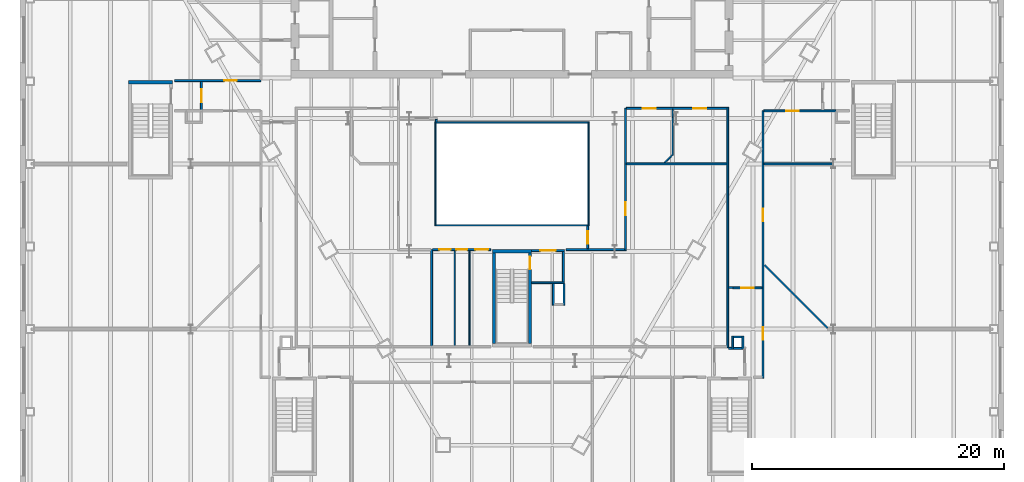
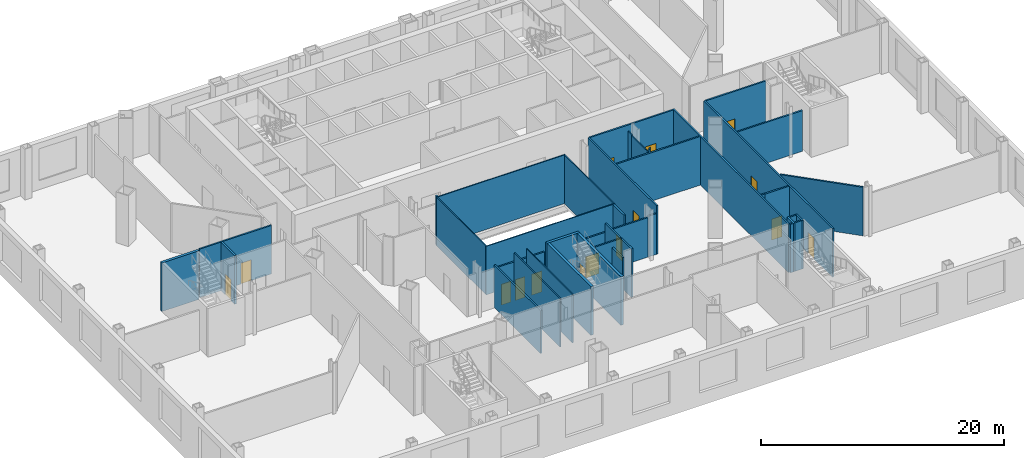
# One storey, part 10 of 20: 41 walls, 15 doors, 15 openings.
"""IFC4 building model written with IfcOpenShell, lengths in metres."""

from ifc_helpers import new_model, si_unit, direction, frame, frame_2d, origin, place, context, subcontext, project, spatial, rectangle, extrude, material, layer, layer_set, type_object, element, fill, save


model = new_model("IFC4")

# Units and contexts
model_context = context("Model", 3, precision=1e-05, world=origin(), true_north=direction((0.0, 1.0)))
body_context = subcontext(model_context, "Body", "Model", "MODEL_VIEW")
ifc_project = project(units=[si_unit("LENGTHUNIT", "METRE"), si_unit("AREAUNIT", "SQUARE_METRE"), si_unit("VOLUMEUNIT", "CUBIC_METRE"), si_unit("PLANEANGLEUNIT", "RADIAN"), si_unit("MASSUNIT", "GRAM", prefix="KILO")], contexts=[model_context])

# Site, building, storey
site_placement = place(None, origin())
site = spatial("IfcSite", under=ifc_project, at=site_placement, CompositionType="ELEMENT")
building_placement = place(site_placement, origin())
building = spatial("IfcBuilding", under=site, at=building_placement, Name="Njiva Tower", CompositionType="ELEMENT")
storey_placement = place(building_placement, frame((0.0, 0.0, 18.6)))
storey = spatial("IfcBuildingStorey", under=building, at=storey_placement, Name="L03", CompositionType="ELEMENT", Elevation=18.6)

# Walls
ifc_material_1 = material(Name="Gypsum board on steel studs", Category="gypsum")
ifc_layer_1 = layer(ifc_material_1, 0.1)
ifc_layer_set_1 = layer_set([ifc_layer_1], Name="Gypsum board on steel studs")
wall_type_1 = type_object("IfcWallType", Name="WT20 Gypsum partition 100", PredefinedType="PARTITIONING", material=ifc_layer_set_1)
for number, where, z_axis, x_axis, name in (
    (1, (-4.544, -21.225, 0.0), (0.0, 0.0, 1.0), (0.0, 1.0, 0.0), "Partition L03-P050"),
    (2, (-3.375, -21.225, 0.0), (0.0, 0.0, 1.0), (0.0, 1.0, 0.0), "Partition L03-P051"),
):
    element("IfcWall", number, at=place(storey_placement, frame(where, z_axis=z_axis, x_axis=x_axis)), inside=storey, type_object=wall_type_1, Name=name, PredefinedType="PARTITIONING", context=body_context, shape_type="SweptSolid", body=[
        extrude(rectangle(XDim=7.55, YDim=0.1, at=frame_2d((3.775, 0.0))), origin(), (0.0, 0.0, 1.0), 4.88),
    ])
wall_1_placement = place(storey_placement, frame((12.11, -6.69, 0.0), z_axis=(0.0, 0.0, 1.0), x_axis=(0.707106781187, 0.707106781187, 0.0)))
element("IfcWall", 3, at=wall_1_placement, inside=storey, type_object=wall_type_1, Name="Partition L03-P063", PredefinedType="PARTITIONING", context=body_context, shape_type="SweptSolid", body=[
    extrude(rectangle(XDim=0.8103, YDim=0.1, at=frame_2d((0.4052, 0.0))), origin(), (0.0, 0.0, 1.0), 4.88),
])
wall_2_placement = place(storey_placement, frame((12.733, -6.117, 0.0), z_axis=(0.0, 0.0, 1.0), x_axis=(0.0, 1.0, 0.0)))
element("IfcWall", 4, at=wall_2_placement, inside=storey, type_object=wall_type_1, Name="Partition L03-P065", PredefinedType="PARTITIONING", context=body_context, shape_type="SweptSolid", body=[
    extrude(rectangle(XDim=3.017, YDim=0.1, at=frame_2d((1.5085, 0.0))), origin(), (0.0, 0.0, 1.0), 4.19),
])
wall_3_placement = place(storey_placement, frame((12.733, -3.1, 0.0), z_axis=(0.0, 0.0, 1.0), x_axis=(0.0, 1.0, 0.0)))
element("IfcWall", 5, at=wall_3_placement, inside=storey, type_object=wall_type_1, Name="Partition L03-P065A", PredefinedType="PARTITIONING", context=body_context, shape_type="SweptSolid", body=[
    extrude(rectangle(XDim=0.625, YDim=0.1, at=frame_2d((0.3125, 0.0))), origin(), (0.0, 0.0, 1.0), 4.28),
])

# Wall, opening, door
ifc_layer_2 = layer(ifc_material_1, 0.15)
ifc_layer_set_2 = layer_set([ifc_layer_2], Name="Gypsum board on steel studs")
wall_type_2 = type_object("IfcWallType", Name="WT21 Compartment wall 150", PredefinedType="PARTITIONING", material=ifc_layer_set_2)
wall_4_placement = place(storey_placement, frame((-26.75, -0.2, 0.0), z_axis=(0.0, 0.0, 1.0), x_axis=(1.0, 0.0, 0.0)))
wall_4 = element("IfcWall", 6, at=wall_4_placement, inside=storey, type_object=wall_type_2, Name="Partition L03-P005", PredefinedType="PARTITIONING", context=body_context, shape_type="SweptSolid", body=[
    extrude(rectangle(XDim=6.847, YDim=0.15, at=frame_2d((3.4235, 0.0))), origin(), (0.0, 0.0, 1.0), 4.88),
])
opening_1_placement = place(wall_4_placement, frame((3.932, 0.0, 0.0)))
opening_1 = element("IfcOpeningElement", 7, at=opening_1_placement, cuts=wall_4, Name="Opening L03-D001", PredefinedType="OPENING", context=body_context, shape_type="SweptSolid", body=[
    extrude(rectangle(XDim=1.0, YDim=2.1, at=frame_2d((0.5, 1.05))), frame((0.0, 0.085, 0.0), z_axis=(0.0, -1.0, 0.0), x_axis=(1.0, 0.0, 0.0)), (0.0, 0.0, 1.0), 0.17),
])
ifc_material_2 = material(Name="Steel fire door set", Category="steel")
door_type_1 = type_object("IfcDoorType", Name="D37 Fire door 1000x2100", OperationType="SINGLE_SWING_LEFT", PredefinedType="DOOR", material=ifc_material_2)
door_1_placement = place(opening_1_placement, origin())
door_1 = element("IfcDoor", 8, at=door_1_placement, inside=storey, type_object=door_type_1, Name="Door L03-D001", OperationType="SINGLE_SWING_LEFT", OverallHeight=2.1, OverallWidth=1.0, PredefinedType="DOOR", context=body_context, shape_type="SweptSolid", body=[
    extrude(rectangle(XDim=1.0, YDim=2.1, at=frame_2d((0.5, 1.05))), frame((0.0, 0.025, 0.0), z_axis=(0.0, -1.0, 0.0), x_axis=(1.0, 0.0, 0.0)), (0.0, 0.0, 1.0), 0.05),
])
fill(opening_1, door_1)

wall_5_placement = place(storey_placement, frame((-24.625, -2.525, 0.0), z_axis=(0.0, 0.0, 1.0), x_axis=(0.0, 1.0, 0.0)))
wall_5 = element("IfcWall", 9, at=wall_5_placement, inside=storey, type_object=wall_type_2, Name="Partition L03-P013", PredefinedType="PARTITIONING", context=body_context, shape_type="SweptSolid", body=[
    extrude(rectangle(XDim=2.25, YDim=0.15, at=frame_2d((1.125, 0.0))), origin(), (0.0, 0.0, 1.0), 4.88),
])
opening_2_placement = place(wall_5_placement, frame((0.625, 0.0, 0.0)))
opening_2 = element("IfcOpeningElement", 10, at=opening_2_placement, cuts=wall_5, Name="Opening L03-D002", PredefinedType="OPENING", context=body_context, shape_type="SweptSolid", body=[
    extrude(rectangle(XDim=1.0, YDim=2.1, at=frame_2d((0.5, 1.05))), frame((0.0, 0.085, 0.0), z_axis=(0.0, -1.0, 0.0), x_axis=(1.0, 0.0, 0.0)), (0.0, 0.0, 1.0), 0.17),
])
ifc_material_3 = material(Name="Glazed steel fire door", Category="steel")
door_type_2 = type_object("IfcDoorType", Name="D41 Glazed fire door 1000x2100", OperationType="SINGLE_SWING_LEFT", PredefinedType="DOOR", material=ifc_material_3)
door_2_placement = place(opening_2_placement, origin())
door_2 = element("IfcDoor", 11, at=door_2_placement, inside=storey, type_object=door_type_2, Name="Door L03-D002", OperationType="SINGLE_SWING_RIGHT", OverallHeight=2.1, OverallWidth=1.0, PredefinedType="DOOR", context=body_context, shape_type="SweptSolid", body=[
    extrude(rectangle(XDim=1.0, YDim=2.1, at=frame_2d((0.5, 1.05))), frame((0.0, 0.025, 0.0), z_axis=(0.0, -1.0, 0.0), x_axis=(1.0, 0.0, 0.0)), (0.0, 0.0, 1.0), 0.05),
])
fill(opening_2, door_2)

# Wall
wall_6_placement = place(storey_placement, frame((-6.367, -21.225, 0.0), z_axis=(0.0, 0.0, 1.0), x_axis=(0.0, 1.0, 0.0)))
element("IfcWall", 12, at=wall_6_placement, inside=storey, type_object=wall_type_2, Name="Partition L03-P047", PredefinedType="PARTITIONING", context=body_context, shape_type="SweptSolid", body=[
    extrude(rectangle(XDim=7.622, YDim=0.15, at=frame_2d((3.811, 0.0))), origin(), (0.0, 0.0, 1.0), 4.28),
])

# Wall, openings, doors
wall_7_placement = place(storey_placement, frame((-6.292, -13.6, 0.0), z_axis=(0.0, 0.0, 1.0), x_axis=(1.0, 0.0, 0.0)))
wall_7 = element("IfcWall", 13, at=wall_7_placement, inside=storey, type_object=wall_type_2, Name="Partition L03-P048", PredefinedType="PARTITIONING", context=body_context, shape_type="SweptSolid", body=[
    extrude(rectangle(XDim=4.592, YDim=0.15, at=frame_2d((2.296, 0.0))), origin(), (0.0, 0.0, 1.0), 3.97),
])
opening_3_placement = place(wall_7_placement, frame((0.536, 0.0, 0.0)))
opening_3 = element("IfcOpeningElement", 14, at=opening_3_placement, cuts=wall_7, Name="Opening L03-D017", PredefinedType="OPENING", context=body_context, shape_type="SweptSolid", body=[
    extrude(rectangle(XDim=0.9, YDim=2.1, at=frame_2d((0.45, 1.05))), frame((0.0, 0.085, 0.0), z_axis=(0.0, -1.0, 0.0), x_axis=(1.0, 0.0, 0.0)), (0.0, 0.0, 1.0), 0.17),
])
opening_4_placement = place(wall_7_placement, frame((1.854, 0.0, 0.0)))
opening_4 = element("IfcOpeningElement", 15, at=opening_4_placement, cuts=wall_7, Name="Opening L03-D018", PredefinedType="OPENING", context=body_context, shape_type="SweptSolid", body=[
    extrude(rectangle(XDim=0.9, YDim=2.1, at=frame_2d((0.45, 1.05))), frame((0.0, 0.085, 0.0), z_axis=(0.0, -1.0, 0.0), x_axis=(1.0, 0.0, 0.0)), (0.0, 0.0, 1.0), 0.17),
])
opening_5_placement = place(wall_7_placement, frame((3.392, 0.0, 0.0)))
opening_5 = element("IfcOpeningElement", 16, at=opening_5_placement, cuts=wall_7, Name="Opening L03-D019", PredefinedType="OPENING", context=body_context, shape_type="SweptSolid", body=[
    extrude(rectangle(XDim=1.0, YDim=2.1, at=frame_2d((0.5, 1.05))), frame((0.0, 0.085, 0.0), z_axis=(0.0, -1.0, 0.0), x_axis=(1.0, 0.0, 0.0)), (0.0, 0.0, 1.0), 0.17),
])
door_type_3 = type_object("IfcDoorType", Name="D36 Fire door 900x2100", OperationType="SINGLE_SWING_LEFT", PredefinedType="DOOR", material=ifc_material_2)
door_3_placement = place(opening_3_placement, origin())
door_3 = element("IfcDoor", 17, at=door_3_placement, inside=storey, type_object=door_type_3, Name="Door L03-D017", OperationType="SINGLE_SWING_LEFT", OverallHeight=2.1, OverallWidth=0.9, PredefinedType="DOOR", context=body_context, shape_type="SweptSolid", body=[
    extrude(rectangle(XDim=0.9, YDim=2.1, at=frame_2d((0.45, 1.05))), frame((0.0, 0.025, 0.0), z_axis=(0.0, -1.0, 0.0), x_axis=(1.0, 0.0, 0.0)), (0.0, 0.0, 1.0), 0.05),
])
fill(opening_3, door_3)
door_4_placement = place(opening_4_placement, origin())
door_4 = element("IfcDoor", 18, at=door_4_placement, inside=storey, type_object=door_type_3, Name="Door L03-D018", OperationType="SINGLE_SWING_RIGHT", OverallHeight=2.1, OverallWidth=0.9, PredefinedType="DOOR", context=body_context, shape_type="SweptSolid", body=[
    extrude(rectangle(XDim=0.9, YDim=2.1, at=frame_2d((0.45, 1.05))), frame((0.0, 0.025, 0.0), z_axis=(0.0, -1.0, 0.0), x_axis=(1.0, 0.0, 0.0)), (0.0, 0.0, 1.0), 0.05),
])
fill(opening_4, door_4)
door_5_placement = place(opening_5_placement, origin())
door_5 = element("IfcDoor", 19, at=door_5_placement, inside=storey, type_object=door_type_1, Name="Door L03-D019", OperationType="SINGLE_SWING_RIGHT", OverallHeight=2.1, OverallWidth=1.0, PredefinedType="DOOR", context=body_context, shape_type="SweptSolid", body=[
    extrude(rectangle(XDim=1.0, YDim=2.1, at=frame_2d((0.5, 1.05))), frame((0.0, 0.025, 0.0), z_axis=(0.0, -1.0, 0.0), x_axis=(1.0, 0.0, 0.0)), (0.0, 0.0, 1.0), 0.05),
])
fill(opening_5, door_5)

# Walls
wall_8_placement = place(storey_placement, frame((-6.0, -3.48, 0.0), z_axis=(0.0, 0.0, 1.0), x_axis=(0.0, 1.0, 0.0)))
element("IfcWall", 20, at=wall_8_placement, inside=storey, type_object=wall_type_2, Name="Partition L03-P049", PredefinedType="PARTITIONING", context=body_context, shape_type="SweptSolid", body=[
    extrude(rectangle(XDim=0.205, YDim=0.15, at=frame_2d((0.1025, 0.0))), origin(), (0.0, 0.0, 1.0), 4.88),
])
wall_9_placement = place(storey_placement, frame((4.3, -13.6, 0.0), z_axis=(0.0, 0.0, 1.0), x_axis=(1.0, 0.0, 0.0)))
element("IfcWall", 21, at=wall_9_placement, inside=storey, type_object=wall_type_2, Name="Partition L03-P054", PredefinedType="PARTITIONING", context=body_context, shape_type="SweptSolid", body=[
    extrude(rectangle(XDim=3.85, YDim=0.15, at=frame_2d((1.925, 0.0))), origin(), (0.0, 0.0, 1.0), 3.97),
])
wall_10_placement = place(storey_placement, frame((8.15, -13.6, 0.0), z_axis=(0.0, 0.0, 1.0), x_axis=(1.0, 0.0, 0.0)))
element("IfcWall", 22, at=wall_10_placement, inside=storey, type_object=wall_type_2, Name="Partition L03-P054A", PredefinedType="PARTITIONING", context=body_context, shape_type="SweptSolid", body=[
    extrude(rectangle(XDim=0.775, YDim=0.15, at=frame_2d((0.3875, 0.0))), origin(), (0.0, 0.0, 1.0), 4.09),
])

# Wall, opening, door
wall_11_placement = place(storey_placement, frame((6.0, -13.525, 0.0), z_axis=(0.0, 0.0, 1.0), x_axis=(0.0, 1.0, 0.0)))
wall_11 = element("IfcWall", 23, at=wall_11_placement, inside=storey, type_object=wall_type_2, Name="Partition L03-P055", PredefinedType="PARTITIONING", context=body_context, shape_type="SweptSolid", body=[
    extrude(rectangle(XDim=1.805, YDim=0.15, at=frame_2d((0.9025, 0.0))), origin(), (0.0, 0.0, 1.0), 4.88),
])
opening_6_placement = place(wall_11_placement, frame((0.403, 0.0, 0.0)))
opening_6 = element("IfcOpeningElement", 24, at=opening_6_placement, cuts=wall_11, Name="Opening L03-D020", PredefinedType="OPENING", context=body_context, shape_type="SweptSolid", body=[
    extrude(rectangle(XDim=1.0, YDim=2.1, at=frame_2d((0.5, 1.05))), frame((0.0, 0.085, 0.0), z_axis=(0.0, -1.0, 0.0), x_axis=(1.0, 0.0, 0.0)), (0.0, 0.0, 1.0), 0.17),
])
door_6_placement = place(opening_6_placement, origin())
door_6 = element("IfcDoor", 25, at=door_6_placement, inside=storey, type_object=door_type_1, Name="Door L03-D020", OperationType="SINGLE_SWING_RIGHT", OverallHeight=2.1, OverallWidth=1.0, PredefinedType="DOOR", context=body_context, shape_type="SweptSolid", body=[
    extrude(rectangle(XDim=1.0, YDim=2.1, at=frame_2d((0.5, 1.05))), frame((0.0, 0.025, 0.0), z_axis=(0.0, -1.0, 0.0), x_axis=(1.0, 0.0, 0.0)), (0.0, 0.0, 1.0), 0.05),
])
fill(opening_6, door_6)

wall_12_placement = place(storey_placement, frame((9.0, -13.675, 0.0), z_axis=(0.0, 0.0, 1.0), x_axis=(0.0, 1.0, 0.0)))
wall_12 = element("IfcWall", 26, at=wall_12_placement, inside=storey, type_object=wall_type_2, Name="Partition L03-P059", PredefinedType="PARTITIONING", context=body_context, shape_type="SweptSolid", body=[
    extrude(rectangle(XDim=11.287, YDim=0.15, at=frame_2d((5.6435, 0.0))), origin(), (0.0, 0.0, 1.0), 4.88),
])
opening_7_placement = place(wall_12_placement, frame((2.821, 0.0, 0.0)))
opening_7 = element("IfcOpeningElement", 27, at=opening_7_placement, cuts=wall_12, Name="Opening L03-D022", PredefinedType="OPENING", context=body_context, shape_type="SweptSolid", body=[
    extrude(rectangle(XDim=1.0, YDim=2.1, at=frame_2d((0.5, 1.05))), frame((0.0, 0.085, 0.0), z_axis=(0.0, -1.0, 0.0), x_axis=(1.0, 0.0, 0.0)), (0.0, 0.0, 1.0), 0.17),
])
door_7_placement = place(opening_7_placement, origin())
door_7 = element("IfcDoor", 28, at=door_7_placement, inside=storey, type_object=door_type_1, Name="Door L03-D022", OperationType="SINGLE_SWING_LEFT", OverallHeight=2.1, OverallWidth=1.0, PredefinedType="DOOR", context=body_context, shape_type="SweptSolid", body=[
    extrude(rectangle(XDim=1.0, YDim=2.1, at=frame_2d((0.5, 1.05))), frame((0.0, 0.025, 0.0), z_axis=(0.0, -1.0, 0.0), x_axis=(1.0, 0.0, 0.0)), (0.0, 0.0, 1.0), 0.05),
])
fill(opening_7, door_7)

# Wall
wall_13_placement = place(storey_placement, frame((9.075, -6.8, 0.0), z_axis=(0.0, 0.0, 1.0), x_axis=(1.0, 0.0, 0.0)))
element("IfcWall", 29, at=wall_13_placement, inside=storey, type_object=wall_type_2, Name="Partition L03-P060", PredefinedType="PARTITIONING", context=body_context, shape_type="SweptSolid", body=[
    extrude(rectangle(XDim=7.95, YDim=0.15, at=frame_2d((3.975, 0.0))), origin(), (0.0, 0.0, 1.0), 4.88),
])

# Wall, openings, doors
wall_14_placement = place(storey_placement, frame((9.075, -2.4, 0.0), z_axis=(0.0, 0.0, 1.0), x_axis=(1.0, 0.0, 0.0)))
wall_14 = element("IfcWall", 30, at=wall_14_placement, inside=storey, type_object=wall_type_2, Name="Partition L03-P061", PredefinedType="PARTITIONING", context=body_context, shape_type="SweptSolid", body=[
    extrude(rectangle(XDim=7.95, YDim=0.15, at=frame_2d((3.975, 0.0))), origin(), (0.0, 0.0, 1.0), 4.88),
])
opening_8_placement = place(wall_14_placement, frame((1.304, 0.0, 0.0)))
opening_8 = element("IfcOpeningElement", 31, at=opening_8_placement, cuts=wall_14, Name="Opening L03-D023", PredefinedType="OPENING", context=body_context, shape_type="SweptSolid", body=[
    extrude(rectangle(XDim=1.0, YDim=2.1, at=frame_2d((0.5, 1.05))), frame((0.0, 0.085, 0.0), z_axis=(0.0, -1.0, 0.0), x_axis=(1.0, 0.0, 0.0)), (0.0, 0.0, 1.0), 0.17),
])
opening_9_placement = place(wall_14_placement, frame((5.304, 0.0, 0.0)))
opening_9 = element("IfcOpeningElement", 32, at=opening_9_placement, cuts=wall_14, Name="Opening L03-D024", PredefinedType="OPENING", context=body_context, shape_type="SweptSolid", body=[
    extrude(rectangle(XDim=1.0, YDim=2.1, at=frame_2d((0.5, 1.05))), frame((0.0, 0.085, 0.0), z_axis=(0.0, -1.0, 0.0), x_axis=(1.0, 0.0, 0.0)), (0.0, 0.0, 1.0), 0.17),
])
door_8_placement = place(opening_8_placement, origin())
door_8 = element("IfcDoor", 33, at=door_8_placement, inside=storey, type_object=door_type_1, Name="Door L03-D023", OperationType="SINGLE_SWING_LEFT", OverallHeight=2.1, OverallWidth=1.0, PredefinedType="DOOR", context=body_context, shape_type="SweptSolid", body=[
    extrude(rectangle(XDim=1.0, YDim=2.1, at=frame_2d((0.5, 1.05))), frame((0.0, 0.025, 0.0), z_axis=(0.0, -1.0, 0.0), x_axis=(1.0, 0.0, 0.0)), (0.0, 0.0, 1.0), 0.05),
])
fill(opening_8, door_8)
door_9_placement = place(opening_9_placement, origin())
door_9 = element("IfcDoor", 34, at=door_9_placement, inside=storey, type_object=door_type_1, Name="Door L03-D024", OperationType="SINGLE_SWING_RIGHT", OverallHeight=2.1, OverallWidth=1.0, PredefinedType="DOOR", context=body_context, shape_type="SweptSolid", body=[
    extrude(rectangle(XDim=1.0, YDim=2.1, at=frame_2d((0.5, 1.05))), frame((0.0, 0.025, 0.0), z_axis=(0.0, -1.0, 0.0), x_axis=(1.0, 0.0, 0.0)), (0.0, 0.0, 1.0), 0.05),
])
fill(opening_9, door_9)

# Walls
wall_15_placement = place(storey_placement, frame((17.1, -21.375, 0.0), z_axis=(0.0, 0.0, 1.0), x_axis=(0.0, 1.0, 0.0)))
element("IfcWall", 35, at=wall_15_placement, inside=storey, type_object=wall_type_2, Name="Partition L03-P068", PredefinedType="PARTITIONING", context=body_context, shape_type="SweptSolid", body=[
    extrude(rectangle(XDim=19.05, YDim=0.15, at=frame_2d((9.525, 0.0))), origin(), (0.0, 0.0, 1.0), 4.88),
])
wall_16_placement = place(storey_placement, frame((17.175, -21.425, 0.0), z_axis=(0.0, 0.0, 1.0), x_axis=(1.0, 0.0, 0.0)))
element("IfcWall", 36, at=wall_16_placement, inside=storey, type_object=wall_type_2, Name="Partition L03-P069", PredefinedType="PARTITIONING", context=body_context, shape_type="SweptSolid", body=[
    extrude(rectangle(XDim=0.25, YDim=0.15, at=frame_2d((0.125, 0.0))), origin(), (0.0, 0.0, 1.0), 4.88),
])
wall_17_placement = place(storey_placement, frame((17.175, -16.6, 0.0), z_axis=(0.0, 0.0, 1.0), x_axis=(1.0, 0.0, 0.0)))
element("IfcWall", 37, at=wall_17_placement, inside=storey, type_object=wall_type_2, Name="Partition L03-P070", PredefinedType="PARTITIONING", context=body_context, shape_type="SweptSolid", body=[
    extrude(rectangle(XDim=0.325, YDim=0.15, at=frame_2d((0.1625, 0.0))), origin(), (0.0, 0.0, 1.0), 4.88),
])

# Wall, opening, door
wall_18_placement = place(storey_placement, frame((17.5, -16.625, 0.0), z_axis=(0.0, 0.0, 1.0), x_axis=(1.0, 0.0, 0.0)))
wall_18 = element("IfcWall", 38, at=wall_18_placement, inside=storey, type_object=wall_type_2, Name="Partition L03-P072", PredefinedType="PARTITIONING", context=body_context, shape_type="SweptSolid", body=[
    extrude(rectangle(XDim=2.325, YDim=0.15, at=frame_2d((1.1625, 0.0))), origin(), (0.0, 0.0, 1.0), 4.88),
])
opening_10_placement = place(wall_18_placement, frame((0.662, 0.0, 0.0)))
opening_10 = element("IfcOpeningElement", 39, at=opening_10_placement, cuts=wall_18, Name="Opening L03-D027", PredefinedType="OPENING", context=body_context, shape_type="SweptSolid", body=[
    extrude(rectangle(XDim=1.0, YDim=2.1, at=frame_2d((0.5, 1.05))), frame((0.0, 0.085, 0.0), z_axis=(0.0, -1.0, 0.0), x_axis=(1.0, 0.0, 0.0)), (0.0, 0.0, 1.0), 0.17),
])
door_10_placement = place(opening_10_placement, origin())
door_10 = element("IfcDoor", 40, at=door_10_placement, inside=storey, type_object=door_type_1, Name="Door L03-D027", OperationType="SINGLE_SWING_RIGHT", OverallHeight=2.1, OverallWidth=1.0, PredefinedType="DOOR", context=body_context, shape_type="SweptSolid", body=[
    extrude(rectangle(XDim=1.0, YDim=2.1, at=frame_2d((0.5, 1.05))), frame((0.0, 0.025, 0.0), z_axis=(0.0, -1.0, 0.0), x_axis=(1.0, 0.0, 0.0)), (0.0, 0.0, 1.0), 0.05),
])
fill(opening_10, door_10)

# Wall, openings, doors
wall_19_placement = place(storey_placement, frame((19.9, -23.775, 0.0), z_axis=(0.0, 0.0, 1.0), x_axis=(0.0, 1.0, 0.0)))
wall_19 = element("IfcWall", 41, at=wall_19_placement, inside=storey, type_object=wall_type_2, Name="Partition L03-P080", PredefinedType="PARTITIONING", context=body_context, shape_type="SweptSolid", body=[
    extrude(rectangle(XDim=21.187, YDim=0.15, at=frame_2d((10.5935, 0.0))), origin(), (0.0, 0.0, 1.0), 4.88),
])
opening_11_placement = place(wall_19_placement, frame((3.017, 0.0, 0.0)))
opening_11 = element("IfcOpeningElement", 42, at=opening_11_placement, cuts=wall_19, Name="Opening L03-D029", PredefinedType="OPENING", context=body_context, shape_type="SweptSolid", body=[
    extrude(rectangle(XDim=1.0, YDim=2.1, at=frame_2d((0.5, 1.05))), frame((0.0, 0.085, 0.0), z_axis=(0.0, -1.0, 0.0), x_axis=(1.0, 0.0, 0.0)), (0.0, 0.0, 1.0), 0.17),
])
opening_12_placement = place(wall_19_placement, frame((12.423, 0.0, 0.0)))
opening_12 = element("IfcOpeningElement", 43, at=opening_12_placement, cuts=wall_19, Name="Opening L03-D030", PredefinedType="OPENING", context=body_context, shape_type="SweptSolid", body=[
    extrude(rectangle(XDim=1.0, YDim=2.1, at=frame_2d((0.5, 1.05))), frame((0.0, 0.085, 0.0), z_axis=(0.0, -1.0, 0.0), x_axis=(1.0, 0.0, 0.0)), (0.0, 0.0, 1.0), 0.17),
])
door_11_placement = place(opening_11_placement, origin())
door_11 = element("IfcDoor", 44, at=door_11_placement, inside=storey, type_object=door_type_1, Name="Door L03-D029", OperationType="SINGLE_SWING_LEFT", OverallHeight=2.1, OverallWidth=1.0, PredefinedType="DOOR", context=body_context, shape_type="SweptSolid", body=[
    extrude(rectangle(XDim=1.0, YDim=2.1, at=frame_2d((0.5, 1.05))), frame((0.0, 0.025, 0.0), z_axis=(0.0, -1.0, 0.0), x_axis=(1.0, 0.0, 0.0)), (0.0, 0.0, 1.0), 0.05),
])
fill(opening_11, door_11)
door_12_placement = place(opening_12_placement, origin())
door_12 = element("IfcDoor", 45, at=door_12_placement, inside=storey, type_object=door_type_1, Name="Door L03-D030", OperationType="SINGLE_SWING_RIGHT", OverallHeight=2.1, OverallWidth=1.0, PredefinedType="DOOR", context=body_context, shape_type="SweptSolid", body=[
    extrude(rectangle(XDim=1.0, YDim=2.1, at=frame_2d((0.5, 1.05))), frame((0.0, 0.025, 0.0), z_axis=(0.0, -1.0, 0.0), x_axis=(1.0, 0.0, 0.0)), (0.0, 0.0, 1.0), 0.05),
])
fill(opening_12, door_12)

# Wall
wall_20_placement = place(storey_placement, frame((19.975, -6.8, 0.0), z_axis=(0.0, 0.0, 1.0), x_axis=(1.0, 0.0, 0.0)))
element("IfcWall", 46, at=wall_20_placement, inside=storey, type_object=wall_type_2, Name="Partition L03-P085", PredefinedType="PARTITIONING", context=body_context, shape_type="SweptSolid", body=[
    extrude(rectangle(XDim=6.775, YDim=0.15, at=frame_2d((3.3875, 0.0))), origin(), (0.0, 0.0, 1.0), 4.09),
])

# Wall, opening, door
wall_21_placement = place(storey_placement, frame((19.975, -2.6, 0.0), z_axis=(0.0, 0.0, 1.0), x_axis=(1.0, 0.0, 0.0)))
wall_21 = element("IfcWall", 47, at=wall_21_placement, inside=storey, type_object=wall_type_2, Name="Partition L03-P086", PredefinedType="PARTITIONING", context=body_context, shape_type="SweptSolid", body=[
    extrude(rectangle(XDim=5.713, YDim=0.15, at=frame_2d((2.8565, 0.0))), origin(), (0.0, 0.0, 1.0), 4.88),
])
opening_13_placement = place(wall_21_placement, frame((1.756, 0.0, 0.0)))
opening_13 = element("IfcOpeningElement", 48, at=opening_13_placement, cuts=wall_21, Name="Opening L03-D033", PredefinedType="OPENING", context=body_context, shape_type="SweptSolid", body=[
    extrude(rectangle(XDim=1.0, YDim=2.1, at=frame_2d((0.5, 1.05))), frame((0.0, 0.085, 0.0), z_axis=(0.0, -1.0, 0.0), x_axis=(1.0, 0.0, 0.0)), (0.0, 0.0, 1.0), 0.17),
])
door_13_placement = place(opening_13_placement, origin())
door_13 = element("IfcDoor", 49, at=door_13_placement, inside=storey, type_object=door_type_1, Name="Door L03-D033", OperationType="SINGLE_SWING_LEFT", OverallHeight=2.1, OverallWidth=1.0, PredefinedType="DOOR", context=body_context, shape_type="SweptSolid", body=[
    extrude(rectangle(XDim=1.0, YDim=2.1, at=frame_2d((0.5, 1.05))), frame((0.0, 0.025, 0.0), z_axis=(0.0, -1.0, 0.0), x_axis=(1.0, 0.0, 0.0)), (0.0, 0.0, 1.0), 0.05),
])
fill(opening_13, door_13)

# Walls
wall_22_placement = place(storey_placement, frame((20.028, -14.827, 0.0), z_axis=(0.0, 0.0, 1.0), x_axis=(0.707106781187, -0.707106781187, 0.0)))
element("IfcWall", 50, at=wall_22_placement, inside=storey, type_object=wall_type_2, Name="Partition L03-P087", PredefinedType="PARTITIONING", context=body_context, shape_type="SweptSolid", body=[
    extrude(rectangle(XDim=7.0682, YDim=0.15, at=frame_2d((3.5341, 0.0))), origin(), (0.0, 0.0, 1.0), 4.88),
])
ifc_layer_3 = layer(ifc_material_1, 0.15)
ifc_layer_set_3 = layer_set([ifc_layer_3], Name="Gypsum board on steel studs")
wall_type_3 = type_object("IfcWallType", Name="WT24 Riser room wall 150", PredefinedType="PARTITIONING", material=ifc_layer_set_3)
wall_23_placement = place(storey_placement, frame((17.5, -21.5, 0.0), z_axis=(0.0, 0.0, 1.0), x_axis=(0.0, 1.0, 0.0)))
element("IfcWall", 51, at=wall_23_placement, inside=storey, type_object=wall_type_3, Name="Partition L03-P071", PredefinedType="PARTITIONING", context=body_context, shape_type="SweptSolid", body=[
    extrude(rectangle(XDim=1.05, YDim=0.15, at=frame_2d((0.525, 0.0))), origin(), (0.0, 0.0, 1.0), 4.88),
])
for number, where, z_axis, x_axis, name in (
    (52, (17.575, -21.425, 0.0), (0.0, 0.0, 1.0), (1.0, 0.0, 0.0), "Partition L03-P074"),
    (53, (17.575, -20.525, 0.0), (0.0, 0.0, 1.0), (1.0, 0.0, 0.0), "Partition L03-P075"),
):
    element("IfcWall", number, at=place(storey_placement, frame(where, z_axis=z_axis, x_axis=x_axis)), inside=storey, type_object=wall_type_3, Name=name, PredefinedType="PARTITIONING", context=body_context, shape_type="SweptSolid", body=[
        extrude(rectangle(XDim=0.65, YDim=0.15, at=frame_2d((0.325, 0.0))), origin(), (0.0, 0.0, 1.0), 4.88),
    ])
wall_24_placement = place(storey_placement, frame((18.3, -21.5, 0.0), z_axis=(0.0, 0.0, 1.0), x_axis=(0.0, 1.0, 0.0)))
element("IfcWall", 54, at=wall_24_placement, inside=storey, type_object=wall_type_3, Name="Partition L03-P076", PredefinedType="PARTITIONING", context=body_context, shape_type="SweptSolid", body=[
    extrude(rectangle(XDim=1.05, YDim=0.15, at=frame_2d((0.525, 0.0))), origin(), (0.0, 0.0, 1.0), 4.88),
])
ifc_material_4 = material(Name="Blockwork", Category="masonry")
ifc_layer_4 = layer(ifc_material_4, 0.15)
ifc_layer_set_4 = layer_set([ifc_layer_4], Name="Blockwork")
wall_type_4 = type_object("IfcWallType", Name="WT4 Stair partition 150", PredefinedType="PARTITIONING", material=ifc_layer_set_4)
wall_25_placement = place(storey_placement, frame((1.55, -16.225, 0.0), z_axis=(0.0, 0.0, 1.0), x_axis=(1.0, 0.0, 0.0)))
element("IfcWall", 55, at=wall_25_placement, inside=storey, type_object=wall_type_4, Name="Stair C vestibule wall south", PredefinedType="PARTITIONING", context=body_context, shape_type="SweptSolid", body=[
    extrude(rectangle(XDim=2.6, YDim=0.15, at=frame_2d((1.3, 0.0))), origin(), (0.0, 0.0, 1.0), 4.88),
])
wall_26_placement = place(storey_placement, frame((4.075, -16.15, 0.0), z_axis=(0.0, 0.0, 1.0), x_axis=(0.0, 1.0, 0.0)))
element("IfcWall", 56, at=wall_26_placement, inside=storey, type_object=wall_type_4, Name="Stair C vestibule wall east", PredefinedType="PARTITIONING", context=body_context, shape_type="SweptSolid", body=[
    extrude(rectangle(XDim=2.4, YDim=0.15, at=frame_2d((1.2, 0.0))), origin(), (0.0, 0.0, 1.0), 4.88),
])

# Wall, opening, door
wall_27_placement = place(storey_placement, frame((1.55, -13.675, 0.0), z_axis=(0.0, 0.0, 1.0), x_axis=(1.0, 0.0, 0.0)))
wall_27 = element("IfcWall", 57, at=wall_27_placement, inside=storey, type_object=wall_type_4, Name="Stair C vestibule wall north", PredefinedType="PARTITIONING", context=body_context, shape_type="SweptSolid", body=[
    extrude(rectangle(XDim=2.6, YDim=0.15, at=frame_2d((1.3, 0.0))), origin(), (0.0, 0.0, 1.0), 3.97),
])
opening_14_placement = place(wall_27_placement, frame((0.675, 0.0, 0.0)))
opening_14 = element("IfcOpeningElement", 58, at=opening_14_placement, cuts=wall_27, Name="Opening L03-D940", PredefinedType="OPENING", context=body_context, shape_type="SweptSolid", body=[
    extrude(rectangle(XDim=1.25, YDim=2.1, at=frame_2d((0.625, 1.05))), frame((0.0, 0.085, 0.0), z_axis=(0.0, -1.0, 0.0), x_axis=(1.0, 0.0, 0.0)), (0.0, 0.0, 1.0), 0.17),
])
door_type_4 = type_object("IfcDoorType", Name="D8 Vestibule corridor door 1250x2100 glazed", OperationType="SINGLE_SWING_LEFT", PredefinedType="DOOR", material=ifc_material_3)
door_14_placement = place(opening_14_placement, origin())
door_14 = element("IfcDoor", 59, at=door_14_placement, inside=storey, type_object=door_type_4, Name="Stair vestibule corridor door", OperationType="SINGLE_SWING_RIGHT", OverallHeight=2.1, OverallWidth=1.25, PredefinedType="DOOR", context=body_context, shape_type="SweptSolid", body=[
    extrude(rectangle(XDim=1.25, YDim=2.1, at=frame_2d((0.625, 1.05))), frame((0.0, 0.025, 0.0), z_axis=(0.0, -1.0, 0.0), x_axis=(1.0, 0.0, 0.0)), (0.0, 0.0, 1.0), 0.05),
])
fill(opening_14, door_14)

# Walls
wall_28_placement = place(storey_placement, frame((3.275, -18.0, 0.0), z_axis=(0.0, 0.0, 1.0), x_axis=(0.0, 1.0, 0.0)))
element("IfcWall", 60, at=wall_28_placement, inside=storey, type_object=wall_type_4, Name="Stair C pressurisation shaft wall", PredefinedType="PARTITIONING", context=body_context, shape_type="SweptSolid", body=[
    extrude(rectangle(XDim=1.7, YDim=0.15, at=frame_2d((0.85, 0.0))), origin(), (0.0, 0.0, 1.0), 4.28),
])
wall_29_placement = place(storey_placement, frame((4.125, -18.0, 0.0), z_axis=(0.0, 0.0, 1.0), x_axis=(0.0, 1.0, 0.0)))
element("IfcWall", 61, at=wall_29_placement, inside=storey, type_object=wall_type_4, Name="Stair C pressurisation shaft wall", PredefinedType="PARTITIONING", context=body_context, shape_type="SweptSolid", body=[
    extrude(rectangle(XDim=1.7, YDim=0.15, at=frame_2d((0.85, 0.0))), origin(), (0.0, 0.0, 1.0), 4.88),
])
ifc_material_5 = material(Name="Concrete C40/50", Category="concrete")
ifc_layer_5 = layer(ifc_material_5, 0.25)
ifc_layer_set_5 = layer_set([ifc_layer_5], Name="Concrete C40/50")
wall_type_5 = type_object("IfcWallType", Name="WT9 Stair enclosure wall 250", PredefinedType="SHEAR", material=ifc_layer_set_5)
wall_30_placement = place(storey_placement, frame((-1.425, -21.05, 0.0), z_axis=(0.0, 0.0, 1.0), x_axis=(0.0, 1.0, 0.0)))
element("IfcWall", 62, at=wall_30_placement, inside=storey, type_object=wall_type_5, Name="Stair C wall west", PredefinedType="SHEAR", context=body_context, shape_type="SweptSolid", body=[
    extrude(rectangle(XDim=7.2, YDim=0.25, at=frame_2d((3.6, 0.0))), origin(), (0.0, 0.0, 1.0), 4.88),
])

# Wall, opening, door
wall_31_placement = place(storey_placement, frame((1.425, -21.05, 0.0), z_axis=(0.0, 0.0, 1.0), x_axis=(0.0, 1.0, 0.0)))
wall_31 = element("IfcWall", 63, at=wall_31_placement, inside=storey, type_object=wall_type_5, Name="Stair C wall east", PredefinedType="SHEAR", context=body_context, shape_type="SweptSolid", body=[
    extrude(rectangle(XDim=7.2, YDim=0.25, at=frame_2d((3.6, 0.0))), origin(), (0.0, 0.0, 1.0), 4.88),
])
opening_15_placement = place(wall_31_placement, frame((5.89, 0.0, 0.0)))
opening_15 = element("IfcOpeningElement", 64, at=opening_15_placement, cuts=wall_31, Name="Opening L03-D939", PredefinedType="OPENING", context=body_context, shape_type="SweptSolid", body=[
    extrude(rectangle(XDim=1.0, YDim=2.1, at=frame_2d((0.5, 1.05))), frame((0.0, 0.135, 0.0), z_axis=(0.0, -1.0, 0.0), x_axis=(1.0, 0.0, 0.0)), (0.0, 0.0, 1.0), 0.27),
])
door_type_5 = type_object("IfcDoorType", Name="D9 Stair vestibule door 1000x2100 glazed", OperationType="SINGLE_SWING_LEFT", PredefinedType="DOOR", material=ifc_material_3)
door_15_placement = place(opening_15_placement, origin())
door_15 = element("IfcDoor", 65, at=door_15_placement, inside=storey, type_object=door_type_5, Name="Stair C door", OperationType="SINGLE_SWING_LEFT", OverallHeight=2.1, OverallWidth=1.0, PredefinedType="DOOR", context=body_context, shape_type="SweptSolid", body=[
    extrude(rectangle(XDim=1.0, YDim=2.1, at=frame_2d((0.5, 1.05))), frame((0.0, 0.025, 0.0), z_axis=(0.0, -1.0, 0.0), x_axis=(1.0, 0.0, 0.0)), (0.0, 0.0, 1.0), 0.05),
])
fill(opening_15, door_15)

# Walls
wall_32_placement = place(storey_placement, frame((-1.55, -13.725, 0.0), z_axis=(0.0, 0.0, 1.0), x_axis=(1.0, 0.0, 0.0)))
element("IfcWall", 66, at=wall_32_placement, inside=storey, type_object=wall_type_5, Name="Stair C wall north", PredefinedType="SHEAR", context=body_context, shape_type="SweptSolid", body=[
    extrude(rectangle(XDim=3.1, YDim=0.25, at=frame_2d((1.55, 0.0))), origin(), (0.0, 0.0, 1.0), 4.88),
])
wall_33_placement = place(storey_placement, frame((-30.4, -0.325, 0.0), z_axis=(0.0, 0.0, 1.0), x_axis=(1.0, 0.0, 0.0)))
element("IfcWall", 67, at=wall_33_placement, inside=storey, type_object=wall_type_5, Name="Stair F wall north", PredefinedType="SHEAR", context=body_context, shape_type="SweptSolid", body=[
    extrude(rectangle(XDim=3.5, YDim=0.25, at=frame_2d((1.75, 0.0))), origin(), (0.0, 0.0, 1.0), 4.88),
])
ifc_material_6 = material(Name="Fire-resisting glazing EI 90", Category="glass")
ifc_layer_6 = layer(ifc_material_6, 0.1)
ifc_layer_set_6 = layer_set([ifc_layer_6], Name="Fire-resisting glazing EI 90")
wall_type_6 = type_object("IfcWallType", Name="WT95 Fire-resisting glazed screen EI 90", PredefinedType="PARTITIONING", material=ifc_layer_set_6)
wall_34_placement = place(storey_placement, frame((-6.12, -11.67, 0.0), z_axis=(0.0, 0.0, 1.0), x_axis=(1.0, 0.0, 0.0)))
element("IfcWall", 68, at=wall_34_placement, inside=storey, type_object=wall_type_6, Name="Atrium fire screen south", PredefinedType="PARTITIONING", context=body_context, shape_type="SweptSolid", body=[
    extrude(rectangle(XDim=12.24, YDim=0.1, at=frame_2d((6.12, 0.0))), origin(), (0.0, 0.0, 1.0), 4.88),
])
wall_35_placement = place(storey_placement, frame((6.07, -11.62, 0.0), z_axis=(0.0, 0.0, 1.0), x_axis=(0.0, 1.0, 0.0)))
element("IfcWall", 69, at=wall_35_placement, inside=storey, type_object=wall_type_6, Name="Atrium fire screen east", PredefinedType="PARTITIONING", context=body_context, shape_type="SweptSolid", body=[
    extrude(rectangle(XDim=8.04, YDim=0.1, at=frame_2d((4.02, 0.0))), origin(), (0.0, 0.0, 1.0), 4.88),
])
wall_36_placement = place(storey_placement, frame((6.12, -3.53, 0.0), z_axis=(0.0, 0.0, 1.0), x_axis=(-1.0, 0.0, 0.0)))
element("IfcWall", 70, at=wall_36_placement, inside=storey, type_object=wall_type_6, Name="Atrium fire screen north", PredefinedType="PARTITIONING", context=body_context, shape_type="SweptSolid", body=[
    extrude(rectangle(XDim=12.24, YDim=0.1, at=frame_2d((6.12, 0.0))), origin(), (0.0, 0.0, 1.0), 4.88),
])
wall_37_placement = place(storey_placement, frame((-6.07, -3.58, 0.0), z_axis=(0.0, 0.0, 1.0), x_axis=(0.0, -1.0, 0.0)))
element("IfcWall", 71, at=wall_37_placement, inside=storey, type_object=wall_type_6, Name="Atrium fire screen west", PredefinedType="PARTITIONING", context=body_context, shape_type="SweptSolid", body=[
    extrude(rectangle(XDim=8.04, YDim=0.1, at=frame_2d((4.02, 0.0))), origin(), (0.0, 0.0, 1.0), 4.88),
])

save(model, "model.ifc")
